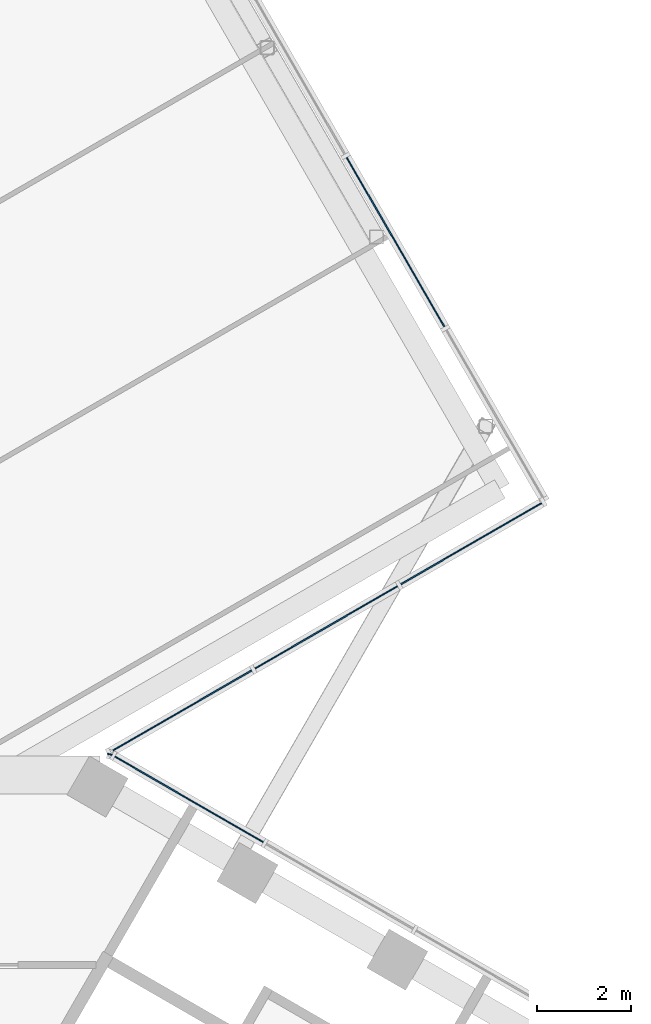
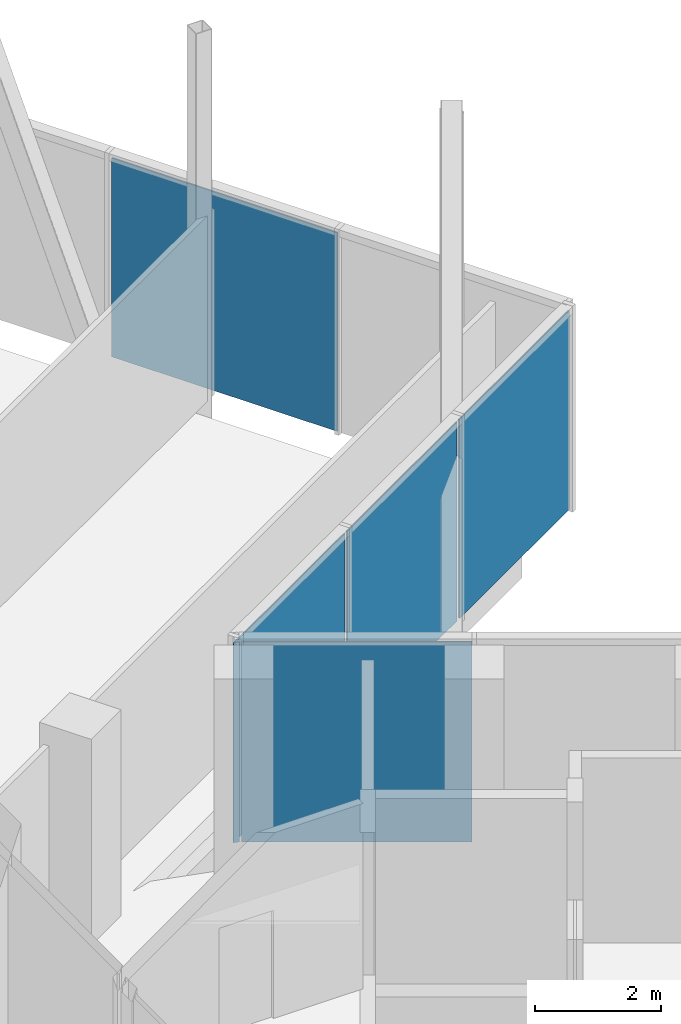
# One storey, part 14 of 21: 6 plates, 4 elements without a shape of their own.
"""IFC4 building model written with IfcOpenShell, lengths in metres."""

from ifc_helpers import new_model, si_unit, direction, frame, origin, origin_2d, place, context, subcontext, project, spatial, rectangle, extrude, material, layer, layer_set, type_object, element, aggregate, save


model = new_model("IFC4")

# Units and contexts
model_context = context("Model", 3, precision=1e-05, world=origin(), true_north=direction((0.0, 1.0)))
body_context = subcontext(model_context, "Body", "Model", "MODEL_VIEW")
ifc_project = project(units=[si_unit("LENGTHUNIT", "METRE"), si_unit("AREAUNIT", "SQUARE_METRE"), si_unit("VOLUMEUNIT", "CUBIC_METRE"), si_unit("PLANEANGLEUNIT", "RADIAN"), si_unit("MASSUNIT", "GRAM", prefix="KILO")], contexts=[model_context])

# Site, building, storey
site_placement = place(None, origin())
site = spatial("IfcSite", under=ifc_project, at=site_placement, CompositionType="ELEMENT")
building_placement = place(site_placement, origin())
building = spatial("IfcBuilding", under=site, at=building_placement, Name="Ayvan Gate Tower", CompositionType="ELEMENT")
storey_placement = place(building_placement, frame((0.0, 0.0, 190.699951171875)))
storey = spatial("IfcBuildingStorey", under=building, at=storey_placement, Name="L51", CompositionType="ELEMENT", Elevation=190.699951171875)

# Curtain wall, plate
ifc_material_1 = material(Name="Bronze anodised aluminium", Category="aluminium")
ifc_layer_1 = layer(ifc_material_1, 0.199951171875)
ifc_layer_set_1 = layer_set([ifc_layer_1], Name="Bronze anodised aluminium")
curtain_wall_type_1 = type_object("IfcCurtainWallType", Name="Stick curtain wall CW-2", PredefinedType="NOTDEFINED", material=ifc_layer_set_1)
curtain_wall_1_placement = place(storey_placement, origin())
curtain_wall_1 = element("IfcCurtainWall", 1, at=curtain_wall_1_placement, inside=storey, type_object=curtain_wall_type_1, Name="Stick curtain wall CW-2 L51", PredefinedType="NOTDEFINED")
ifc_material_2 = material(Name="Clear low-iron laminated glass", Category="glass")
ifc_layer_2 = layer(ifc_material_2, 0.028076171875)
ifc_layer_set_2 = layer_set([ifc_layer_2], Name="Clear low-iron laminated glass")
plate_type_1 = type_object("IfcPlateType", Name="Stick curtain wall CW-2 glass panel", PredefinedType="CURTAIN_PANEL", material=ifc_layer_set_2)
plate_1_placement = place(storey_placement, frame((2.726318359375, 19.46826171875, 0.0), z_axis=(0.0, 0.0, 1.0), x_axis=(-0.866025403784, 0.5, 0.0)))
plate_1 = element("IfcPlate", 2, at=plate_1_placement, type_object=plate_type_1, Name="CW-2 glass panel 5", PredefinedType="CURTAIN_PANEL", context=body_context, shape_type="SweptSolid", body=[
    extrude(rectangle(XDim=3.670166015625, YDim=0.028076171875, at=origin_2d()), origin(), (0.0, 0.0, 1.0), 3.8798828125),
])
aggregate(curtain_wall_1, [plate_1])

# Curtain wall, plates
ifc_layer_3 = layer(ifc_material_1, 0.199951171875)
ifc_layer_set_3 = layer_set([ifc_layer_3], Name="Bronze anodised aluminium")
curtain_wall_type_2 = type_object("IfcCurtainWallType", Name="Stick curtain wall CW-4", PredefinedType="NOTDEFINED", material=ifc_layer_set_3)
curtain_wall_2_placement = place(storey_placement, origin())
curtain_wall_2 = element("IfcCurtainWall", 3, at=curtain_wall_2_placement, inside=storey, type_object=curtain_wall_type_2, Name="Stick curtain wall CW-4 L51", PredefinedType="NOTDEFINED")
ifc_layer_4 = layer(ifc_material_2, 0.028076171875)
ifc_layer_set_4 = layer_set([ifc_layer_4], Name="Clear low-iron laminated glass")
plate_type_2 = type_object("IfcPlateType", Name="Stick curtain wall CW-4 glass panel", PredefinedType="CURTAIN_PANEL", material=ifc_layer_set_4)
plate_2_placement = place(storey_placement, frame((2.556884765625, 21.321533203125, 0.0), z_axis=(0.0, 0.0, 1.0), x_axis=(0.866025403784, 0.5, 0.0)))
plate_2 = element("IfcPlate", 4, at=plate_2_placement, type_object=plate_type_2, Name="CW-4 glass panel 1", PredefinedType="CURTAIN_PANEL", context=body_context, shape_type="SweptSolid", body=[
    extrude(rectangle(XDim=3.489990234375, YDim=0.028076171875, at=origin_2d()), origin(), (0.0, 0.0, 1.0), 3.860107421875),
])
ifc_material_3 = material(Name="Pale anodised aluminium composite panel", Category="aluminium")
ifc_layer_5 = layer(ifc_material_3, 0.028076171875)
ifc_layer_set_5 = layer_set([ifc_layer_5], Name="Pale anodised aluminium composite panel")
plate_type_3 = type_object("IfcPlateType", Name="Stick curtain wall CW-4 solid panel", PredefinedType="CURTAIN_PANEL", material=ifc_layer_set_5)
plate_3_placement = place(storey_placement, frame((5.6484375, 23.1064453125, 0.0), z_axis=(0.0, 0.0, 1.0), x_axis=(0.866025403784, 0.5, 0.0)))
plate_3 = element("IfcPlate", 5, at=plate_3_placement, type_object=plate_type_3, Name="CW-4 solid panel 2", PredefinedType="CURTAIN_PANEL", context=body_context, shape_type="SweptSolid", body=[
    extrude(rectangle(XDim=3.489990234375, YDim=0.028076171875, at=origin_2d()), origin(), (0.0, 0.0, 1.0), 3.860107421875),
])
plate_4_placement = place(storey_placement, frame((8.740234375, 24.8916015625, 0.0), z_axis=(0.0, 0.0, 1.0), x_axis=(0.866025403784, 0.5, 0.0)))
plate_4 = element("IfcPlate", 6, at=plate_4_placement, type_object=plate_type_3, Name="CW-4 solid panel 3", PredefinedType="CURTAIN_PANEL", context=body_context, shape_type="SweptSolid", body=[
    extrude(rectangle(XDim=3.489990234375, YDim=0.028076171875, at=origin_2d()), origin(), (0.0, 0.0, 1.0), 3.860107421875),
])
aggregate(curtain_wall_2, [plate_2, plate_3, plate_4])

# Curtain wall, plate
curtain_wall_3_placement = place(storey_placement, origin())
curtain_wall_3 = element("IfcCurtainWall", 7, at=curtain_wall_3_placement, inside=storey, type_object=curtain_wall_type_2, Name="Stick curtain wall CW-4 L51", PredefinedType="NOTDEFINED")
plate_5_placement = place(storey_placement, frame((7.117431640625, 31.2724609375, 0.0), z_axis=(0.0, 0.0, 1.0), x_axis=(-0.5, 0.866025403784, 0.0)))
plate_5 = element("IfcPlate", 8, at=plate_5_placement, type_object=plate_type_3, Name="CW-4 solid panel 2", PredefinedType="CURTAIN_PANEL", context=body_context, shape_type="SweptSolid", body=[
    extrude(rectangle(XDim=4.14501953125, YDim=0.028076171875, at=origin_2d()), origin(), (0.0, 0.0, 1.0), 3.860107421875),
])
aggregate(curtain_wall_3, [plate_5])

ifc_layer_6 = layer(ifc_material_1, 0.199951171875)
ifc_layer_set_6 = layer_set([ifc_layer_6], Name="Bronze anodised aluminium")
curtain_wall_type_3 = type_object("IfcCurtainWallType", Name="Stick curtain wall CW-6", PredefinedType="NOTDEFINED", material=ifc_layer_set_6)
curtain_wall_4_placement = place(storey_placement, origin())
curtain_wall_4 = element("IfcCurtainWall", 9, at=curtain_wall_4_placement, inside=storey, type_object=curtain_wall_type_3, Name="Stick curtain wall CW-6 L51", PredefinedType="NOTDEFINED")
ifc_layer_7 = layer(ifc_material_2, 0.028076171875)
ifc_layer_set_7 = layer_set([ifc_layer_7], Name="Clear low-iron laminated glass")
plate_type_4 = type_object("IfcPlateType", Name="Stick curtain wall CW-6 glass panel", PredefinedType="CURTAIN_PANEL", material=ifc_layer_set_7)
plate_6_placement = place(storey_placement, frame((1.058837890625, 20.416259765625, 0.0), z_axis=(0.0, 0.0, 1.0), x_axis=(-0.965925826289, 0.258819045103, 0.0)))
plate_6 = element("IfcPlate", 10, at=plate_6_placement, type_object=plate_type_4, Name="CW-6 glass panel 1", PredefinedType="CURTAIN_PANEL", context=body_context, shape_type="SweptSolid", body=[
    extrude(rectangle(XDim=0.099365234375, YDim=0.028076171875, at=origin_2d()), origin(), (0.0, 0.0, 1.0), 3.8798828125),
])
aggregate(curtain_wall_4, [plate_6])

save(model, "model.ifc")
